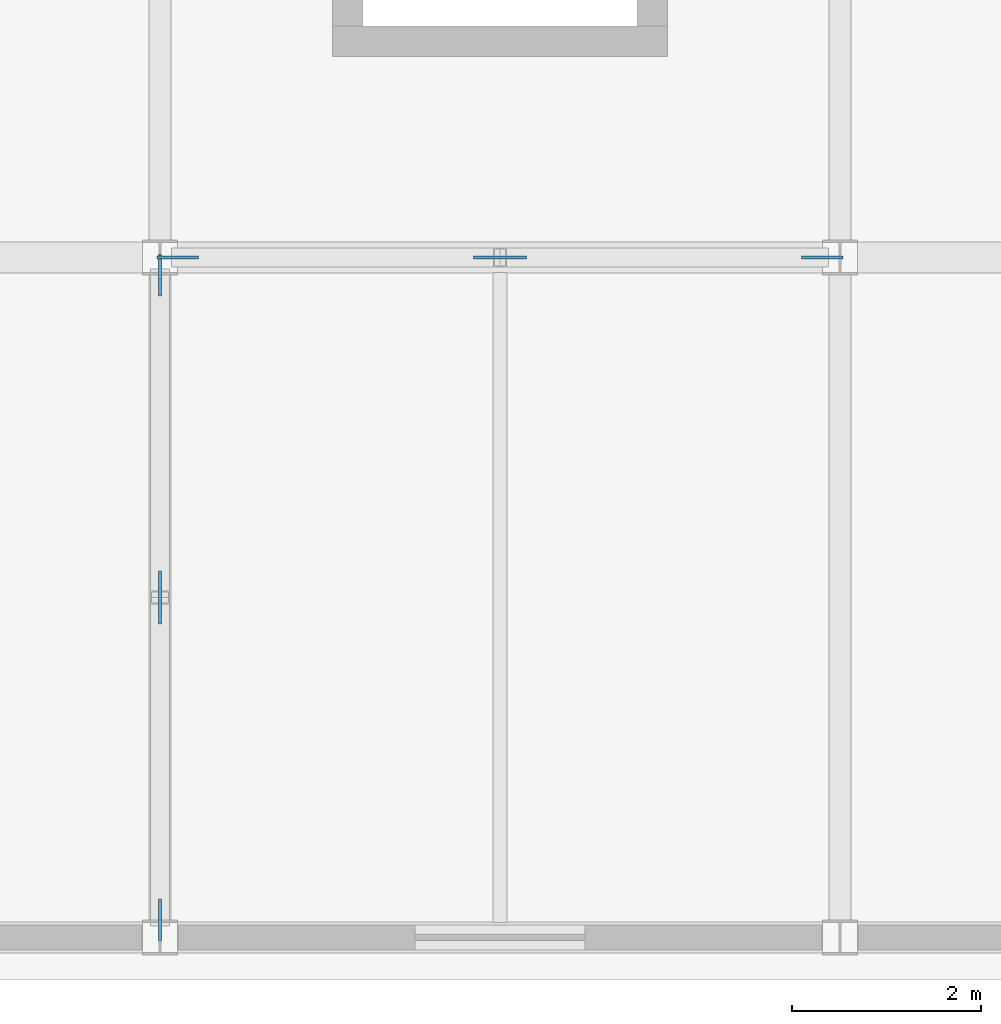
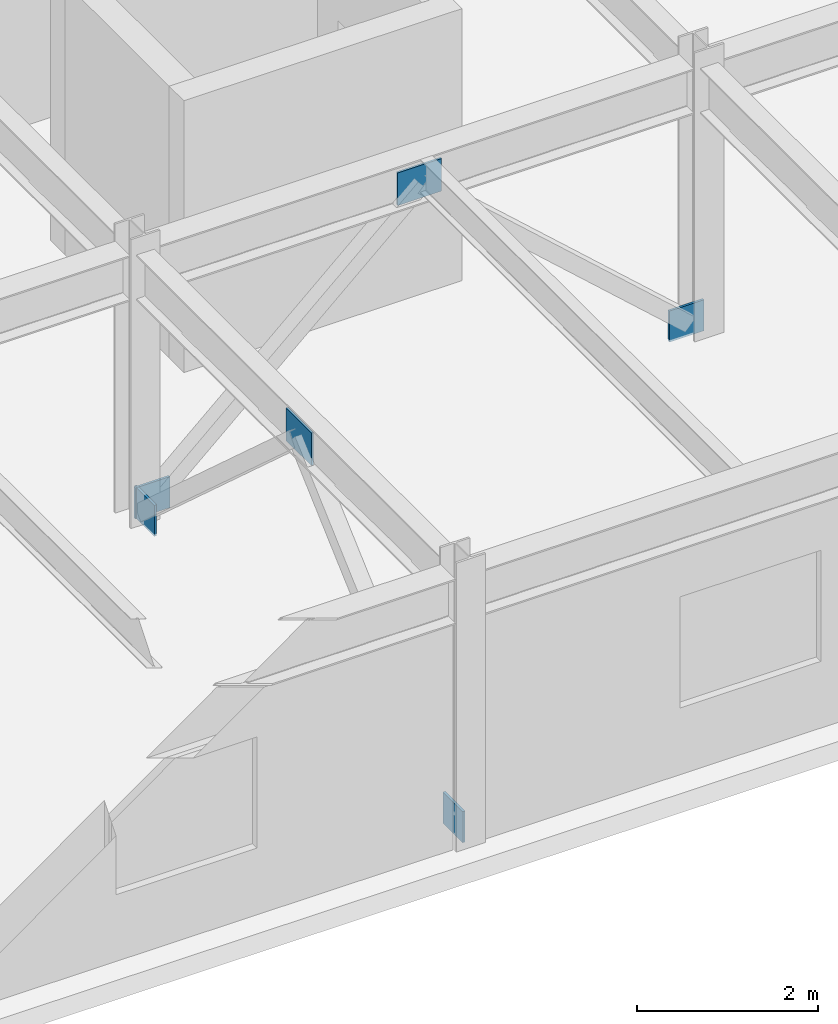
# One storey, part 62 of 93: 6 plates.
"""IFC4 building model written with IfcOpenShell, lengths in metres."""

from ifc_helpers import new_model, si_unit, direction, frame, origin, origin_2d, place, context, subcontext, project, spatial, rectangle, extrude, material, layer, layer_set, type_object, element, save


model = new_model("IFC4")

# Units and contexts
model_context = context("Model", 3, precision=1e-05, world=origin(), true_north=direction((0.0, 1.0)))
body_context = subcontext(model_context, "Body", "Model", "MODEL_VIEW")
ifc_project = project(units=[si_unit("LENGTHUNIT", "METRE"), si_unit("AREAUNIT", "SQUARE_METRE"), si_unit("VOLUMEUNIT", "CUBIC_METRE"), si_unit("PLANEANGLEUNIT", "RADIAN"), si_unit("MASSUNIT", "GRAM", prefix="KILO")], contexts=[model_context])

# Site, building, storey
site_placement = place(None, origin())
site = spatial("IfcSite", under=ifc_project, at=site_placement, CompositionType="ELEMENT")
building_placement = place(site_placement, origin())
building = spatial("IfcBuilding", under=site, at=building_placement, Name="Vaelcorin Mobility Hub", CompositionType="ELEMENT")
storey_placement = place(building_placement, frame((0.0, 0.0, 5.39990234375)))
storey = spatial("IfcBuildingStorey", under=building, at=storey_placement, Name="L01", CompositionType="ELEMENT", Elevation=5.39990234375)

# Plates
ifc_material = material(Name="Steel ASTM A572 Grade 50", Category="steel")
ifc_layer = layer(ifc_material, 0.030029296875)
ifc_layer_set = layer_set([ifc_layer], Name="Steel ASTM A572 Grade 50")
plate_type = type_object("IfcPlateType", Name="PL-GN2", PredefinedType="USERDEFINED", material=ifc_layer_set)
for number, where, z_axis, x_axis, name in (
    (1, (160.989990234375, 13.199951171875, -0.02978515625), (0.0, 0.0, 1.0), (1.0, 0.0, 0.0), "SCBF Gusset Plate GN2 V5-BX1-L01-A"),
    (2, (167.81005859375, 13.199951171875, -0.02978515625), (0.0, 0.0, 1.0), (1.0, 0.0, 0.0), "SCBF Gusset Plate GN2 V5-BX1-L01-B"),
):
    element("IfcPlate", number, at=place(storey_placement, frame(where, z_axis=z_axis, x_axis=x_axis)), inside=storey, type_object=plate_type, Name=name, ObjectType="GUSSET PLATE", PredefinedType="USERDEFINED", context=body_context, shape_type="SweptSolid", body=[
        extrude(rectangle(XDim=0.43994140625, YDim=0.030029296875, at=origin_2d()), origin(), (0.0, 0.0, 1.0), 0.419921875),
    ])
plate_1_placement = place(storey_placement, frame((164.39990234375, 13.199951171875, 3.030029296875), z_axis=(0.0, 0.0, 1.0), x_axis=(1.0, 0.0, 0.0)))
element("IfcPlate", 3, at=plate_1_placement, inside=storey, type_object=plate_type, Name="SCBF Apex Gusset GN2 V5-BX1-L01", ObjectType="GUSSET PLATE", PredefinedType="USERDEFINED", context=body_context, shape_type="SweptSolid", body=[
    extrude(rectangle(XDim=0.56005859375, YDim=0.030029296875, at=origin_2d()), origin(), (0.0, 0.0, 1.0), 0.43994140625),
])
for number, where, z_axis, x_axis, name in (
    (4, (160.800048828125, 6.18994140625, -0.02978515625), (0.0, 0.0, 1.0), (0.0, 1.0, 0.0), "SCBF Gusset Plate GN2 V5-BY1-L01-A"),
    (5, (160.800048828125, 13.010009765625, -0.02978515625), (0.0, 0.0, 1.0), (0.0, 1.0, 0.0), "SCBF Gusset Plate GN2 V5-BY1-L01-B"),
):
    element("IfcPlate", number, at=place(storey_placement, frame(where, z_axis=z_axis, x_axis=x_axis)), inside=storey, type_object=plate_type, Name=name, ObjectType="GUSSET PLATE", PredefinedType="USERDEFINED", context=body_context, shape_type="SweptSolid", body=[
        extrude(rectangle(XDim=0.43994140625, YDim=0.030029296875, at=origin_2d()), origin(), (0.0, 0.0, 1.0), 0.419921875),
    ])
plate_2_placement = place(storey_placement, frame((160.800048828125, 9.60009765625, 3.030029296875), z_axis=(0.0, 0.0, 1.0), x_axis=(0.0, 1.0, 0.0)))
element("IfcPlate", 6, at=plate_2_placement, inside=storey, type_object=plate_type, Name="SCBF Apex Gusset GN2 V5-BY1-L01", ObjectType="GUSSET PLATE", PredefinedType="USERDEFINED", context=body_context, shape_type="SweptSolid", body=[
    extrude(rectangle(XDim=0.56005859375, YDim=0.030029296875, at=origin_2d()), origin(), (0.0, 0.0, 1.0), 0.43994140625),
])

save(model, "model.ifc")
